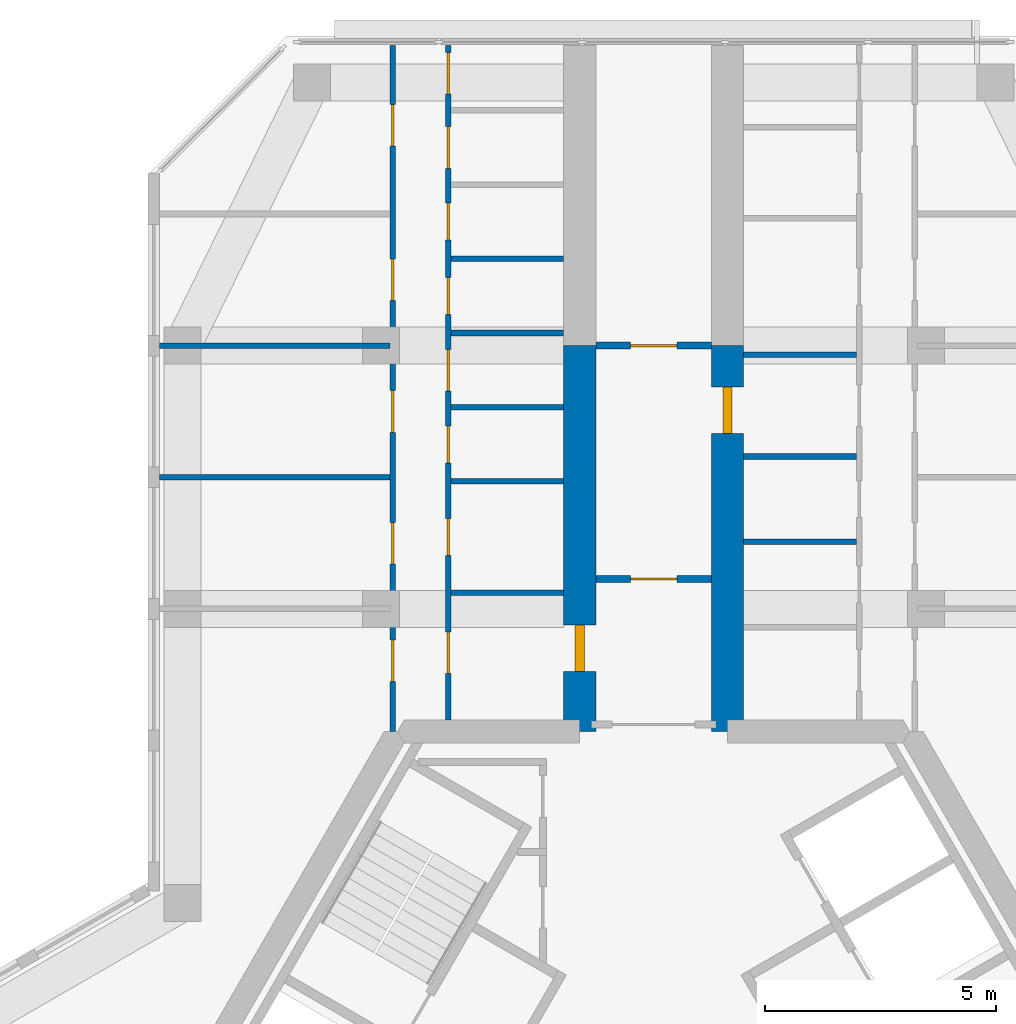
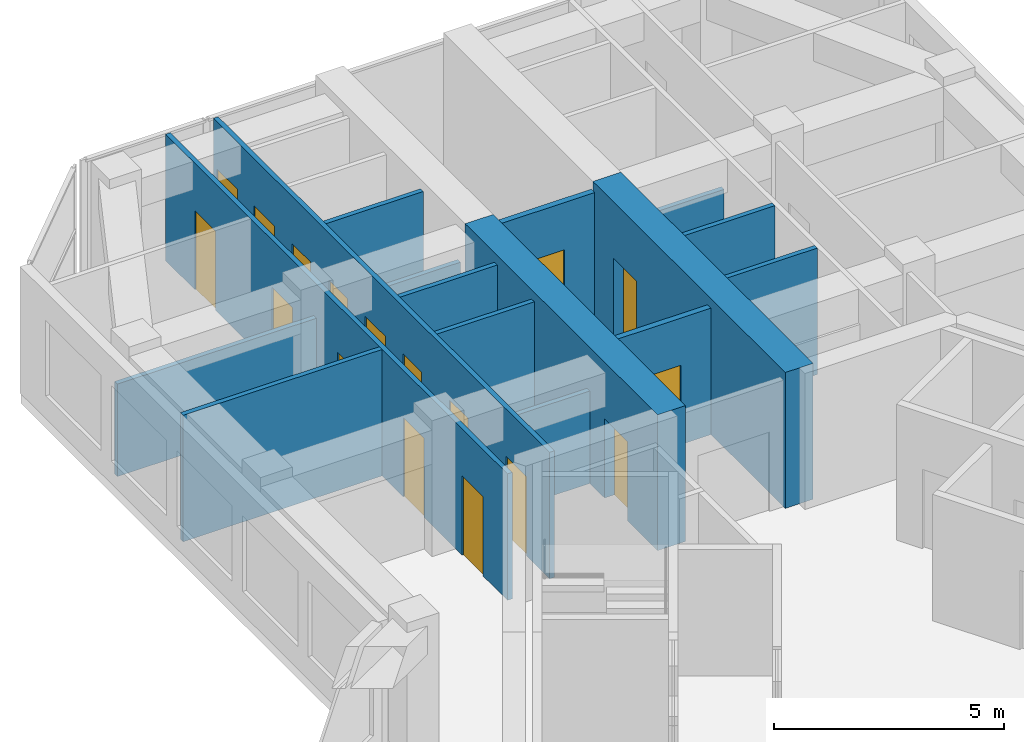
# One storey, part 12 of 14: 17 doors, 16 walls, 17 openings.
"""IFC4 building model written with IfcOpenShell, lengths in metres."""

from ifc_helpers import new_model, si_unit, direction, frame, frame_2d, origin, place, context, subcontext, project, spatial, rectangle, extrude, material, layer, layer_set, type_object, element, fill, save


model = new_model("IFC4")

# Units and contexts
model_context = context("Model", 3, precision=1e-05, world=origin(), true_north=direction((0.0, 1.0)))
body_context = subcontext(model_context, "Body", "Model", "MODEL_VIEW")
ifc_project = project(units=[si_unit("LENGTHUNIT", "METRE"), si_unit("AREAUNIT", "SQUARE_METRE"), si_unit("VOLUMEUNIT", "CUBIC_METRE"), si_unit("PLANEANGLEUNIT", "RADIAN"), si_unit("MASSUNIT", "GRAM", prefix="KILO")], contexts=[model_context])

# Site, building, storey
site_placement = place(None, origin())
site = spatial("IfcSite", under=ifc_project, at=site_placement, CompositionType="ELEMENT")
building_placement = place(site_placement, origin())
building = spatial("IfcBuilding", under=site, at=building_placement, Name="Kosmar Iwan School Tower", CompositionType="ELEMENT")
storey_placement = place(building_placement, frame((0.0, 0.0, 289.0)))
storey = spatial("IfcBuildingStorey", under=building, at=storey_placement, Name="L73", CompositionType="ELEMENT", Elevation=289.0)

# Wall, opening, door
ifc_material_1 = material(Name="Concrete C50/60", Category="concrete")
ifc_layer_1 = layer(ifc_material_1, 0.699951171875)
ifc_layer_set_1 = layer_set([ifc_layer_1], Name="Corridor buttress wall 700")
wall_type_1 = type_object("IfcWallType", Name="Corridor buttress wall 700", PredefinedType="SHEAR", material=ifc_layer_set_1)
wall_1_placement = place(storey_placement, frame((-1.60009765625, 9.60009765625, 0.0), z_axis=(0.0, 0.0, 1.0), x_axis=(0.0, 1.0, 0.0)))
wall_1 = element("IfcWall", 1, at=wall_1_placement, inside=storey, type_object=wall_type_1, Name="Corridor wall AL", PredefinedType="SHEAR", context=body_context, shape_type="SweptSolid", body=[
    extrude(rectangle(XDim=8.349853515625, YDim=0.699951171875, at=frame_2d((4.1748046875, 0.0))), origin(), (0.0, 0.0, 1.0), 3.60009765625),
])
opening_1_placement = place(wall_1_placement, frame((1.300048828125, 0.0, 0.0)))
opening_1 = element("IfcOpeningElement", 2, at=opening_1_placement, cuts=wall_1, Name="Opening D1", PredefinedType="OPENING", context=body_context, shape_type="SweptSolid", body=[
    extrude(rectangle(XDim=1.0, YDim=2.10009765625, at=frame_2d((0.5, 1.050048828125))), frame((0.0, 0.362060546875, 0.0), z_axis=(0.0, -1.0, 0.0), x_axis=(1.0, 0.0, 0.0)), (0.0, 0.0, 1.0), 0.723876953125),
])
ifc_material_2 = material(Name="Timber fire door in steel frame", Category="steel")
door_type_1 = type_object("IfcDoorType", Name="Flat entrance door 1000x2100", OperationType="SINGLE_SWING_LEFT", PredefinedType="DOOR", material=ifc_material_2)
door_1_placement = place(opening_1_placement, origin())
door_1 = element("IfcDoor", 3, at=door_1_placement, inside=storey, type_object=door_type_1, Name="Flat L73-AL1 entrance door", OperationType="SINGLE_SWING_RIGHT", OverallHeight=2.10009765625, OverallWidth=1.0, PredefinedType="DOOR", context=body_context, shape_type="SweptSolid", body=[
    extrude(rectangle(XDim=1.0, YDim=2.10009765625, at=frame_2d((0.5, 1.050048828125))), frame((0.0, 0.10009765625, 0.0), z_axis=(0.0, -1.0, 0.0), x_axis=(1.0, 0.0, 0.0)), (0.0, 0.0, 1.0), 0.199951171875),
])
fill(opening_1, door_1)

wall_2_placement = place(storey_placement, frame((1.60009765625, 9.60009765625, 0.0), z_axis=(0.0, 0.0, 1.0), x_axis=(0.0, 1.0, 0.0)))
wall_2 = element("IfcWall", 4, at=wall_2_placement, inside=storey, type_object=wall_type_1, Name="Corridor wall AR", PredefinedType="SHEAR", context=body_context, shape_type="SweptSolid", body=[
    extrude(rectangle(XDim=8.349853515625, YDim=0.699951171875, at=frame_2d((4.1748046875, 0.0))), origin(), (0.0, 0.0, 1.0), 3.60009765625),
])
opening_2_placement = place(wall_2_placement, frame((6.449951171875, 0.0, 0.0)))
opening_2 = element("IfcOpeningElement", 5, at=opening_2_placement, cuts=wall_2, Name="Opening D1", PredefinedType="OPENING", context=body_context, shape_type="SweptSolid", body=[
    extrude(rectangle(XDim=1.0, YDim=2.10009765625, at=frame_2d((0.5, 1.050048828125))), frame((0.0, 0.362060546875, 0.0), z_axis=(0.0, -1.0, 0.0), x_axis=(1.0, 0.0, 0.0)), (0.0, 0.0, 1.0), 0.723876953125),
])
door_2_placement = place(opening_2_placement, origin())
door_2 = element("IfcDoor", 6, at=door_2_placement, inside=storey, type_object=door_type_1, Name="Flat L73-AR1 entrance door", OperationType="SINGLE_SWING_RIGHT", OverallHeight=2.10009765625, OverallWidth=1.0, PredefinedType="DOOR", context=body_context, shape_type="SweptSolid", body=[
    extrude(rectangle(XDim=1.0, YDim=2.10009765625, at=frame_2d((0.5, 1.050048828125))), frame((0.0, 0.10009765625, 0.0), z_axis=(0.0, -1.0, 0.0), x_axis=(1.0, 0.0, 0.0)), (0.0, 0.0, 1.0), 0.199951171875),
])
fill(opening_2, door_2)

ifc_material_3 = material(Name="Gypsum board on steel studs, fire-rated", Category="steel")
ifc_layer_2 = layer(ifc_material_3, 0.14990234375)
ifc_layer_set_2 = layer_set([ifc_layer_2], Name="Corridor end wall 150")
wall_type_2 = type_object("IfcWallType", Name="Corridor end wall 150", PredefinedType="PARTITIONING", material=ifc_layer_set_2)
wall_3_placement = place(storey_placement, frame((1.25, 17.949951171875, 0.0), z_axis=(0.0, 0.0, 1.0), x_axis=(-1.0, 0.0, 0.0)))
wall_3 = element("IfcWall", 7, at=wall_3_placement, inside=storey, type_object=wall_type_2, Name="Partition L73-A-CE", PredefinedType="PARTITIONING", context=body_context, shape_type="SweptSolid", body=[
    extrude(rectangle(XDim=2.5, YDim=0.14990234375, at=frame_2d((1.25, 0.0))), origin(), (0.0, 0.0, 1.0), 3.35009765625),
])
opening_3_placement = place(wall_3_placement, frame((0.75, 0.0, 0.0)))
opening_3 = element("IfcOpeningElement", 8, at=opening_3_placement, cuts=wall_3, Name="Opening D13", PredefinedType="OPENING", context=body_context, shape_type="SweptSolid", body=[
    extrude(rectangle(XDim=1.0, YDim=2.10009765625, at=frame_2d((0.5, 1.050048828125))), frame((0.0, 0.0869140625, 0.0), z_axis=(0.0, -1.0, 0.0), x_axis=(1.0, 0.0, 0.0)), (0.0, 0.0, 1.0), 0.173828125),
])
ifc_material_4 = material(Name="Timber fire door with vision panel", Category="wood")
door_type_2 = type_object("IfcDoorType", Name="Corridor end door 1000x2100", OperationType="SINGLE_SWING_LEFT", PredefinedType="DOOR", material=ifc_material_4)
door_3_placement = place(opening_3_placement, origin())
door_3 = element("IfcDoor", 9, at=door_3_placement, inside=storey, type_object=door_type_2, Name="Laundry and drying room door L73-A", OperationType="SINGLE_SWING_RIGHT", OverallHeight=2.10009765625, OverallWidth=1.0, PredefinedType="DOOR", context=body_context, shape_type="SweptSolid", body=[
    extrude(rectangle(XDim=1.0, YDim=2.10009765625, at=frame_2d((0.5, 1.050048828125))), frame((0.0, 0.02490234375, 0.0), z_axis=(0.0, -1.0, 0.0), x_axis=(1.0, 0.0, 0.0)), (0.0, 0.0, 1.0), 0.050048828125),
])
fill(opening_3, door_3)

wall_4_placement = place(storey_placement, frame((1.25, 12.89990234375, 0.0), z_axis=(0.0, 0.0, 1.0), x_axis=(-1.0, 0.0, 0.0)))
wall_4 = element("IfcWall", 10, at=wall_4_placement, inside=storey, type_object=wall_type_2, Name="Partition L73-A-HW", PredefinedType="PARTITIONING", context=body_context, shape_type="SweptSolid", body=[
    extrude(rectangle(XDim=2.5, YDim=0.14990234375, at=frame_2d((1.25, 0.0))), origin(), (0.0, 0.0, 1.0), 3.35009765625),
])
opening_4_placement = place(wall_4_placement, frame((0.75, 0.0, 0.0)))
opening_4 = element("IfcOpeningElement", 11, at=opening_4_placement, cuts=wall_4, Name="Opening D13", PredefinedType="OPENING", context=body_context, shape_type="SweptSolid", body=[
    extrude(rectangle(XDim=1.0, YDim=2.10009765625, at=frame_2d((0.5, 1.050048828125))), frame((0.0, 0.0869140625, 0.0), z_axis=(0.0, -1.0, 0.0), x_axis=(1.0, 0.0, 0.0)), (0.0, 0.0, 1.0), 0.173828125),
])
door_4_placement = place(opening_4_placement, origin())
door_4 = element("IfcDoor", 12, at=door_4_placement, inside=storey, type_object=door_type_2, Name="Entrance door L73-A", OperationType="SINGLE_SWING_LEFT", OverallHeight=2.10009765625, OverallWidth=1.0, PredefinedType="DOOR", context=body_context, shape_type="SweptSolid", body=[
    extrude(rectangle(XDim=1.0, YDim=2.10009765625, at=frame_2d((0.5, 1.050048828125))), frame((0.0, 0.02490234375, 0.0), z_axis=(0.0, -1.0, 0.0), x_axis=(1.0, 0.0, 0.0)), (0.0, 0.0, 1.0), 0.050048828125),
])
fill(opening_4, door_4)

# Wall, openings, doors
ifc_material_5 = material(Name="Gypsum board on steel studs", Category="steel")
ifc_layer_3 = layer(ifc_material_5, 0.1201171875)
ifc_layer_set_3 = layer_set([ifc_layer_3], Name="Dwelling partition 120")
wall_type_3 = type_object("IfcWallType", Name="Dwelling partition 120", PredefinedType="PARTITIONING", material=ifc_layer_set_3)
wall_5_placement = place(storey_placement, frame((-4.449951171875, 9.85009765625, 0.0), z_axis=(0.0, 0.0, 1.0), x_axis=(0.0, 1.0, 0.0)))
wall_5 = element("IfcWall", 13, at=wall_5_placement, inside=storey, type_object=wall_type_3, Name="Partition L73-AL1-W1", PredefinedType="PARTITIONING", context=body_context, shape_type="SweptSolid", body=[
    extrude(rectangle(XDim=14.594970703125, YDim=0.1201171875, at=frame_2d((7.29736328125, 0.0))), origin(), (0.0, 0.0, 1.0), 3.35009765625),
])
opening_5_placement = place(wall_5_placement, frame((1.0, 0.0, 0.0)))
opening_5 = element("IfcOpeningElement", 14, at=opening_5_placement, cuts=wall_5, Name="Opening D2", PredefinedType="OPENING", context=body_context, shape_type="SweptSolid", body=[
    extrude(rectangle(XDim=0.89990234375, YDim=2.10009765625, at=frame_2d((0.449951171875, 1.050048828125))), frame((0.0, 0.072021484375, 0.0), z_axis=(0.0, -1.0, 0.0), x_axis=(1.0, 0.0, 0.0)), (0.0, 0.0, 1.0), 0.14404296875),
])
opening_6_placement = place(wall_5_placement, frame((3.554931640625, 0.0, 0.0)))
opening_6 = element("IfcOpeningElement", 15, at=opening_6_placement, cuts=wall_5, Name="Opening D3", PredefinedType="OPENING", context=body_context, shape_type="SweptSolid", body=[
    extrude(rectangle(XDim=0.800048828125, YDim=2.10009765625, at=frame_2d((0.39990234375, 1.050048828125))), frame((0.0, 0.072021484375, 0.0), z_axis=(0.0, -1.0, 0.0), x_axis=(1.0, 0.0, 0.0)), (0.0, 0.0, 1.0), 0.14404296875),
])
opening_7_placement = place(wall_5_placement, frame((5.563232421875, 0.0, 0.0)))
opening_7 = element("IfcOpeningElement", 16, at=opening_7_placement, cuts=wall_5, Name="Opening D3", PredefinedType="OPENING", context=body_context, shape_type="SweptSolid", body=[
    extrude(rectangle(XDim=0.800048828125, YDim=2.10009765625, at=frame_2d((0.39990234375, 1.050048828125))), frame((0.0, 0.072021484375, 0.0), z_axis=(0.0, -1.0, 0.0), x_axis=(1.0, 0.0, 0.0)), (0.0, 0.0, 1.0), 0.14404296875),
])
opening_8_placement = place(wall_5_placement, frame((7.1201171875, 0.0, 0.0)))
opening_8 = element("IfcOpeningElement", 17, at=opening_8_placement, cuts=wall_5, Name="Opening D2", PredefinedType="OPENING", context=body_context, shape_type="SweptSolid", body=[
    extrude(rectangle(XDim=0.89990234375, YDim=2.10009765625, at=frame_2d((0.449951171875, 1.050048828125))), frame((0.0, 0.072021484375, 0.0), z_axis=(0.0, -1.0, 0.0), x_axis=(1.0, 0.0, 0.0)), (0.0, 0.0, 1.0), 0.14404296875),
])
opening_9_placement = place(wall_5_placement, frame((8.776611328125, 0.0, 0.0)))
opening_9 = element("IfcOpeningElement", 18, at=opening_9_placement, cuts=wall_5, Name="Opening D3", PredefinedType="OPENING", context=body_context, shape_type="SweptSolid", body=[
    extrude(rectangle(XDim=0.800048828125, YDim=2.10009765625, at=frame_2d((0.39990234375, 1.050048828125))), frame((0.0, 0.072021484375, 0.0), z_axis=(0.0, -1.0, 0.0), x_axis=(1.0, 0.0, 0.0)), (0.0, 0.0, 1.0), 0.14404296875),
])
opening_10_placement = place(wall_5_placement, frame((10.38330078125, 0.0, 0.0)))
opening_10 = element("IfcOpeningElement", 19, at=opening_10_placement, cuts=wall_5, Name="Opening D3", PredefinedType="OPENING", context=body_context, shape_type="SweptSolid", body=[
    extrude(rectangle(XDim=0.800048828125, YDim=2.10009765625, at=frame_2d((0.39990234375, 1.050048828125))), frame((0.0, 0.072021484375, 0.0), z_axis=(0.0, -1.0, 0.0), x_axis=(1.0, 0.0, 0.0)), (0.0, 0.0, 1.0), 0.14404296875),
])
opening_11_placement = place(wall_5_placement, frame((11.93994140625, 0.0, 0.0)))
opening_11 = element("IfcOpeningElement", 20, at=opening_11_placement, cuts=wall_5, Name="Opening D2", PredefinedType="OPENING", context=body_context, shape_type="SweptSolid", body=[
    extrude(rectangle(XDim=0.89990234375, YDim=2.10009765625, at=frame_2d((0.449951171875, 1.050048828125))), frame((0.0, 0.072021484375, 0.0), z_axis=(0.0, -1.0, 0.0), x_axis=(1.0, 0.0, 0.0)), (0.0, 0.0, 1.0), 0.14404296875),
])
opening_12_placement = place(wall_5_placement, frame((13.546630859375, 0.0, 0.0)))
opening_12 = element("IfcOpeningElement", 21, at=opening_12_placement, cuts=wall_5, Name="Opening D2", PredefinedType="OPENING", context=body_context, shape_type="SweptSolid", body=[
    extrude(rectangle(XDim=0.89990234375, YDim=2.10009765625, at=frame_2d((0.449951171875, 1.050048828125))), frame((0.0, 0.072021484375, 0.0), z_axis=(0.0, -1.0, 0.0), x_axis=(1.0, 0.0, 0.0)), (0.0, 0.0, 1.0), 0.14404296875),
])
ifc_material_6 = material(Name="Timber door in timber frame", Category="wood")
door_type_3 = type_object("IfcDoorType", Name="Internal door 900x2100", OperationType="SINGLE_SWING_LEFT", PredefinedType="DOOR", material=ifc_material_6)
door_5_placement = place(opening_5_placement, origin())
door_5 = element("IfcDoor", 22, at=door_5_placement, inside=storey, type_object=door_type_3, Name="Entrance hall door L73-AL1-S1", OperationType="SINGLE_SWING_LEFT", OverallHeight=2.10009765625, OverallWidth=0.89990234375, PredefinedType="DOOR", context=body_context, shape_type="SweptSolid", body=[
    extrude(rectangle(XDim=0.89990234375, YDim=2.10009765625, at=frame_2d((0.449951171875, 1.050048828125))), frame((0.0, 0.02490234375, 0.0), z_axis=(0.0, -1.0, 0.0), x_axis=(1.0, 0.0, 0.0)), (0.0, 0.0, 1.0), 0.050048828125),
])
fill(opening_5, door_5)
door_6_placement = place(opening_8_placement, origin())
door_6 = element("IfcDoor", 23, at=door_6_placement, inside=storey, type_object=door_type_3, Name="Pantry door L73-AL1-S4", OperationType="SINGLE_SWING_RIGHT", OverallHeight=2.10009765625, OverallWidth=0.89990234375, PredefinedType="DOOR", context=body_context, shape_type="SweptSolid", body=[
    extrude(rectangle(XDim=0.89990234375, YDim=2.10009765625, at=frame_2d((0.449951171875, 1.050048828125))), frame((0.0, 0.02490234375, 0.0), z_axis=(0.0, -1.0, 0.0), x_axis=(1.0, 0.0, 0.0)), (0.0, 0.0, 1.0), 0.050048828125),
])
fill(opening_8, door_6)
door_7_placement = place(opening_11_placement, origin())
door_7 = element("IfcDoor", 24, at=door_7_placement, inside=storey, type_object=door_type_3, Name="Utility room door L73-AL1-S7", OperationType="SINGLE_SWING_RIGHT", OverallHeight=2.10009765625, OverallWidth=0.89990234375, PredefinedType="DOOR", context=body_context, shape_type="SweptSolid", body=[
    extrude(rectangle(XDim=0.89990234375, YDim=2.10009765625, at=frame_2d((0.449951171875, 1.050048828125))), frame((0.0, 0.02490234375, 0.0), z_axis=(0.0, -1.0, 0.0), x_axis=(1.0, 0.0, 0.0)), (0.0, 0.0, 1.0), 0.050048828125),
])
fill(opening_11, door_7)
door_8_placement = place(opening_12_placement, origin())
door_8 = element("IfcDoor", 25, at=door_8_placement, inside=storey, type_object=door_type_3, Name="Dressing room door L73-AL1-S8", OperationType="SINGLE_SWING_RIGHT", OverallHeight=2.10009765625, OverallWidth=0.89990234375, PredefinedType="DOOR", context=body_context, shape_type="SweptSolid", body=[
    extrude(rectangle(XDim=0.89990234375, YDim=2.10009765625, at=frame_2d((0.449951171875, 1.050048828125))), frame((0.0, 0.02490234375, 0.0), z_axis=(0.0, -1.0, 0.0), x_axis=(1.0, 0.0, 0.0)), (0.0, 0.0, 1.0), 0.050048828125),
])
fill(opening_12, door_8)
ifc_material_7 = material(Name="Timber door in timber frame", Category="wood")
door_type_4 = type_object("IfcDoorType", Name="Sanitary room door 800x2100", OperationType="SINGLE_SWING_LEFT", PredefinedType="DOOR", material=ifc_material_7)
door_9_placement = place(opening_6_placement, origin())
door_9 = element("IfcDoor", 26, at=door_9_placement, inside=storey, type_object=door_type_4, Name="Bathroom door L73-AL1-S2", OperationType="SINGLE_SWING_LEFT", OverallHeight=2.10009765625, OverallWidth=0.800048828125, PredefinedType="DOOR", context=body_context, shape_type="SweptSolid", body=[
    extrude(rectangle(XDim=0.800048828125, YDim=2.10009765625, at=frame_2d((0.39990234375, 1.050048828125))), frame((0.0, 0.02490234375, 0.0), z_axis=(0.0, -1.0, 0.0), x_axis=(1.0, 0.0, 0.0)), (0.0, 0.0, 1.0), 0.050048828125),
])
fill(opening_6, door_9)
door_10_placement = place(opening_7_placement, origin())
door_10 = element("IfcDoor", 27, at=door_10_placement, inside=storey, type_object=door_type_4, Name="Shower room door L73-AL1-S3", OperationType="SINGLE_SWING_LEFT", OverallHeight=2.10009765625, OverallWidth=0.800048828125, PredefinedType="DOOR", context=body_context, shape_type="SweptSolid", body=[
    extrude(rectangle(XDim=0.800048828125, YDim=2.10009765625, at=frame_2d((0.39990234375, 1.050048828125))), frame((0.0, 0.02490234375, 0.0), z_axis=(0.0, -1.0, 0.0), x_axis=(1.0, 0.0, 0.0)), (0.0, 0.0, 1.0), 0.050048828125),
])
fill(opening_7, door_10)
door_11_placement = place(opening_9_placement, origin())
door_11 = element("IfcDoor", 28, at=door_11_placement, inside=storey, type_object=door_type_4, Name="WC door L73-AL1-S5", OperationType="SINGLE_SWING_RIGHT", OverallHeight=2.10009765625, OverallWidth=0.800048828125, PredefinedType="DOOR", context=body_context, shape_type="SweptSolid", body=[
    extrude(rectangle(XDim=0.800048828125, YDim=2.10009765625, at=frame_2d((0.39990234375, 1.050048828125))), frame((0.0, 0.02490234375, 0.0), z_axis=(0.0, -1.0, 0.0), x_axis=(1.0, 0.0, 0.0)), (0.0, 0.0, 1.0), 0.050048828125),
])
fill(opening_9, door_11)
door_12_placement = place(opening_10_placement, origin())
door_12 = element("IfcDoor", 29, at=door_12_placement, inside=storey, type_object=door_type_4, Name="Store door L73-AL1-S6", OperationType="SINGLE_SWING_RIGHT", OverallHeight=2.10009765625, OverallWidth=0.800048828125, PredefinedType="DOOR", context=body_context, shape_type="SweptSolid", body=[
    extrude(rectangle(XDim=0.800048828125, YDim=2.10009765625, at=frame_2d((0.39990234375, 1.050048828125))), frame((0.0, 0.02490234375, 0.0), z_axis=(0.0, -1.0, 0.0), x_axis=(1.0, 0.0, 0.0)), (0.0, 0.0, 1.0), 0.050048828125),
])
fill(opening_10, door_12)

wall_6_placement = place(storey_placement, frame((-5.64990234375, 9.60009765625, 0.0), z_axis=(0.0, 0.0, 1.0), x_axis=(0.0, 1.0, 0.0)))
wall_6 = element("IfcWall", 30, at=wall_6_placement, inside=storey, type_object=wall_type_3, Name="Partition L73-AL1-W2", PredefinedType="PARTITIONING", context=body_context, shape_type="SweptSolid", body=[
    extrude(rectangle(XDim=14.844970703125, YDim=0.1201171875, at=frame_2d((7.42236328125, 0.0))), origin(), (0.0, 0.0, 1.0), 3.35009765625),
])
opening_13_placement = place(wall_6_placement, frame((1.074951171875, 0.0, 0.0)))
opening_13 = element("IfcOpeningElement", 31, at=opening_13_placement, cuts=wall_6, Name="Opening D2", PredefinedType="OPENING", context=body_context, shape_type="SweptSolid", body=[
    extrude(rectangle(XDim=0.89990234375, YDim=2.10009765625, at=frame_2d((0.449951171875, 1.050048828125))), frame((0.0, 0.072021484375, 0.0), z_axis=(0.0, -1.0, 0.0), x_axis=(1.0, 0.0, 0.0)), (0.0, 0.0, 1.0), 0.14404296875),
])
opening_14_placement = place(wall_6_placement, frame((3.625, 0.0, 0.0)))
opening_14 = element("IfcOpeningElement", 32, at=opening_14_placement, cuts=wall_6, Name="Opening D2", PredefinedType="OPENING", context=body_context, shape_type="SweptSolid", body=[
    extrude(rectangle(XDim=0.89990234375, YDim=2.10009765625, at=frame_2d((0.449951171875, 1.050048828125))), frame((0.0, 0.072021484375, 0.0), z_axis=(0.0, -1.0, 0.0), x_axis=(1.0, 0.0, 0.0)), (0.0, 0.0, 1.0), 0.14404296875),
])
opening_15_placement = place(wall_6_placement, frame((6.47509765625, 0.0, 0.0)))
opening_15 = element("IfcOpeningElement", 33, at=opening_15_placement, cuts=wall_6, Name="Opening D2", PredefinedType="OPENING", context=body_context, shape_type="SweptSolid", body=[
    extrude(rectangle(XDim=0.89990234375, YDim=2.10009765625, at=frame_2d((0.449951171875, 1.050048828125))), frame((0.0, 0.072021484375, 0.0), z_axis=(0.0, -1.0, 0.0), x_axis=(1.0, 0.0, 0.0)), (0.0, 0.0, 1.0), 0.14404296875),
])
opening_16_placement = place(wall_6_placement, frame((9.324951171875, 0.0, 0.0)))
opening_16 = element("IfcOpeningElement", 34, at=opening_16_placement, cuts=wall_6, Name="Opening D2", PredefinedType="OPENING", context=body_context, shape_type="SweptSolid", body=[
    extrude(rectangle(XDim=0.89990234375, YDim=2.10009765625, at=frame_2d((0.449951171875, 1.050048828125))), frame((0.0, 0.072021484375, 0.0), z_axis=(0.0, -1.0, 0.0), x_axis=(1.0, 0.0, 0.0)), (0.0, 0.0, 1.0), 0.14404296875),
])
opening_17_placement = place(wall_6_placement, frame((12.675048828125, 0.0, 0.0)))
opening_17 = element("IfcOpeningElement", 35, at=opening_17_placement, cuts=wall_6, Name="Opening D2", PredefinedType="OPENING", context=body_context, shape_type="SweptSolid", body=[
    extrude(rectangle(XDim=0.89990234375, YDim=2.10009765625, at=frame_2d((0.449951171875, 1.050048828125))), frame((0.0, 0.072021484375, 0.0), z_axis=(0.0, -1.0, 0.0), x_axis=(1.0, 0.0, 0.0)), (0.0, 0.0, 1.0), 0.14404296875),
])
door_13_placement = place(opening_13_placement, origin())
door_13 = element("IfcDoor", 36, at=door_13_placement, inside=storey, type_object=door_type_3, Name="Kitchen and dining room door L73-AL1-F1", OperationType="SINGLE_SWING_LEFT", OverallHeight=2.10009765625, OverallWidth=0.89990234375, PredefinedType="DOOR", context=body_context, shape_type="SweptSolid", body=[
    extrude(rectangle(XDim=0.89990234375, YDim=2.10009765625, at=frame_2d((0.449951171875, 1.050048828125))), frame((0.0, 0.02490234375, 0.0), z_axis=(0.0, -1.0, 0.0), x_axis=(1.0, 0.0, 0.0)), (0.0, 0.0, 1.0), 0.050048828125),
])
fill(opening_13, door_13)
door_14_placement = place(opening_14_placement, origin())
door_14 = element("IfcDoor", 37, at=door_14_placement, inside=storey, type_object=door_type_3, Name="Study door L73-AL1-F2", OperationType="SINGLE_SWING_RIGHT", OverallHeight=2.10009765625, OverallWidth=0.89990234375, PredefinedType="DOOR", context=body_context, shape_type="SweptSolid", body=[
    extrude(rectangle(XDim=0.89990234375, YDim=2.10009765625, at=frame_2d((0.449951171875, 1.050048828125))), frame((0.0, 0.02490234375, 0.0), z_axis=(0.0, -1.0, 0.0), x_axis=(1.0, 0.0, 0.0)), (0.0, 0.0, 1.0), 0.050048828125),
])
fill(opening_14, door_14)
door_15_placement = place(opening_15_placement, origin())
door_15 = element("IfcDoor", 38, at=door_15_placement, inside=storey, type_object=door_type_3, Name="Living room door L73-AL1-F3", OperationType="SINGLE_SWING_LEFT", OverallHeight=2.10009765625, OverallWidth=0.89990234375, PredefinedType="DOOR", context=body_context, shape_type="SweptSolid", body=[
    extrude(rectangle(XDim=0.89990234375, YDim=2.10009765625, at=frame_2d((0.449951171875, 1.050048828125))), frame((0.0, 0.02490234375, 0.0), z_axis=(0.0, -1.0, 0.0), x_axis=(1.0, 0.0, 0.0)), (0.0, 0.0, 1.0), 0.050048828125),
])
fill(opening_15, door_15)
door_16_placement = place(opening_16_placement, origin())
door_16 = element("IfcDoor", 39, at=door_16_placement, inside=storey, type_object=door_type_3, Name="Bedroom 2 door L73-AL1-F4", OperationType="SINGLE_SWING_RIGHT", OverallHeight=2.10009765625, OverallWidth=0.89990234375, PredefinedType="DOOR", context=body_context, shape_type="SweptSolid", body=[
    extrude(rectangle(XDim=0.89990234375, YDim=2.10009765625, at=frame_2d((0.449951171875, 1.050048828125))), frame((0.0, 0.02490234375, 0.0), z_axis=(0.0, -1.0, 0.0), x_axis=(1.0, 0.0, 0.0)), (0.0, 0.0, 1.0), 0.050048828125),
])
fill(opening_16, door_16)
door_17_placement = place(opening_17_placement, origin())
door_17 = element("IfcDoor", 40, at=door_17_placement, inside=storey, type_object=door_type_3, Name="Bedroom 1 door L73-AL1-F5", OperationType="SINGLE_SWING_RIGHT", OverallHeight=2.10009765625, OverallWidth=0.89990234375, PredefinedType="DOOR", context=body_context, shape_type="SweptSolid", body=[
    extrude(rectangle(XDim=0.89990234375, YDim=2.10009765625, at=frame_2d((0.449951171875, 1.050048828125))), frame((0.0, 0.02490234375, 0.0), z_axis=(0.0, -1.0, 0.0), x_axis=(1.0, 0.0, 0.0)), (0.0, 0.0, 1.0), 0.050048828125),
])
fill(opening_17, door_17)

# Walls
wall_7_placement = place(storey_placement, frame((-5.7099609375, 15.10009765625, 0.0), z_axis=(0.0, 0.0, 1.0), x_axis=(-1.0, 0.0, 0.0)))
element("IfcWall", 41, at=wall_7_placement, inside=storey, type_object=wall_type_3, Name="Partition L73-AL1-X2", PredefinedType="PARTITIONING", context=body_context, shape_type="SweptSolid", body=[
    extrude(rectangle(XDim=4.989990234375, YDim=0.1201171875, at=frame_2d((2.4951171875, 0.0))), origin(), (0.0, 0.0, 1.0), 3.35009765625),
])
wall_8_placement = place(storey_placement, frame((-5.7099609375, 17.949951171875, 0.0), z_axis=(0.0, 0.0, 1.0), x_axis=(-1.0, 0.0, 0.0)))
element("IfcWall", 42, at=wall_8_placement, inside=storey, type_object=wall_type_3, Name="Partition L73-AL1-X3", PredefinedType="PARTITIONING", context=body_context, shape_type="SweptSolid", body=[
    extrude(rectangle(XDim=4.989990234375, YDim=0.1201171875, at=frame_2d((2.4951171875, 0.0))), origin(), (0.0, 0.0, 1.0), 2.449951171875),
])
wall_9_placement = place(storey_placement, frame((-1.949951171875, 12.60009765625, 0.0), z_axis=(0.0, 0.0, 1.0), x_axis=(-1.0, 0.0, 0.0)))
element("IfcWall", 43, at=wall_9_placement, inside=storey, type_object=wall_type_3, Name="Partition L73-AL1-Y1", PredefinedType="PARTITIONING", context=body_context, shape_type="SweptSolid", body=[
    extrude(rectangle(XDim=2.43994140625, YDim=0.1201171875, at=frame_2d((1.219970703125, 0.0))), origin(), (0.0, 0.0, 1.0), 2.449951171875),
])
for number, where, z_axis, x_axis, name in (
    (44, (-1.949951171875, 15.010009765625, 0.0), (0.0, 0.0, 1.0), (-1.0, 0.0, 0.0), "Partition L73-AL1-Y2"),
    (45, (-1.949951171875, 16.61669921875, 0.0), (0.0, 0.0, 1.0), (-1.0, 0.0, 0.0), "Partition L73-AL1-Y3"),
):
    element("IfcWall", number, at=place(storey_placement, frame(where, z_axis=z_axis, x_axis=x_axis)), inside=storey, type_object=wall_type_3, Name=name, PredefinedType="PARTITIONING", context=body_context, shape_type="SweptSolid", body=[
        extrude(rectangle(XDim=2.43994140625, YDim=0.1201171875, at=frame_2d((1.219970703125, 0.0))), origin(), (0.0, 0.0, 1.0), 3.35009765625),
    ])
wall_10_placement = place(storey_placement, frame((-1.949951171875, 18.223388671875, 0.0), z_axis=(0.0, 0.0, 1.0), x_axis=(-1.0, 0.0, 0.0)))
element("IfcWall", 46, at=wall_10_placement, inside=storey, type_object=wall_type_3, Name="Partition L73-AL1-Y4", PredefinedType="PARTITIONING", context=body_context, shape_type="SweptSolid", body=[
    extrude(rectangle(XDim=2.43994140625, YDim=0.1201171875, at=frame_2d((1.219970703125, 0.0))), origin(), (0.0, 0.0, 1.0), 2.449951171875),
])
for number, where, z_axis, x_axis, name in (
    (47, (-1.949951171875, 19.830078125, 0.0), (0.0, 0.0, 1.0), (-1.0, 0.0, 0.0), "Partition L73-AL1-Y5"),
    (48, (1.949951171875, 13.699951171875, 0.0), (0.0, 0.0, 1.0), (1.0, 0.0, 0.0), "Partition L73-AR1-Y2"),
    (49, (1.949951171875, 15.550048828125, 0.0), (0.0, 0.0, 1.0), (1.0, 0.0, 0.0), "Partition L73-AR1-Y3"),
):
    element("IfcWall", number, at=place(storey_placement, frame(where, z_axis=z_axis, x_axis=x_axis)), inside=storey, type_object=wall_type_3, Name=name, PredefinedType="PARTITIONING", context=body_context, shape_type="SweptSolid", body=[
        extrude(rectangle(XDim=2.43994140625, YDim=0.1201171875, at=frame_2d((1.219970703125, 0.0))), origin(), (0.0, 0.0, 1.0), 3.35009765625),
    ])
wall_11_placement = place(storey_placement, frame((1.949951171875, 17.75, 0.0), z_axis=(0.0, 0.0, 1.0), x_axis=(1.0, 0.0, 0.0)))
element("IfcWall", 50, at=wall_11_placement, inside=storey, type_object=wall_type_3, Name="Partition L73-AR1-Y4", PredefinedType="PARTITIONING", context=body_context, shape_type="SweptSolid", body=[
    extrude(rectangle(XDim=2.43994140625, YDim=0.1201171875, at=frame_2d((1.219970703125, 0.0))), origin(), (0.0, 0.0, 1.0), 2.449951171875),
])

save(model, "model.ifc")
